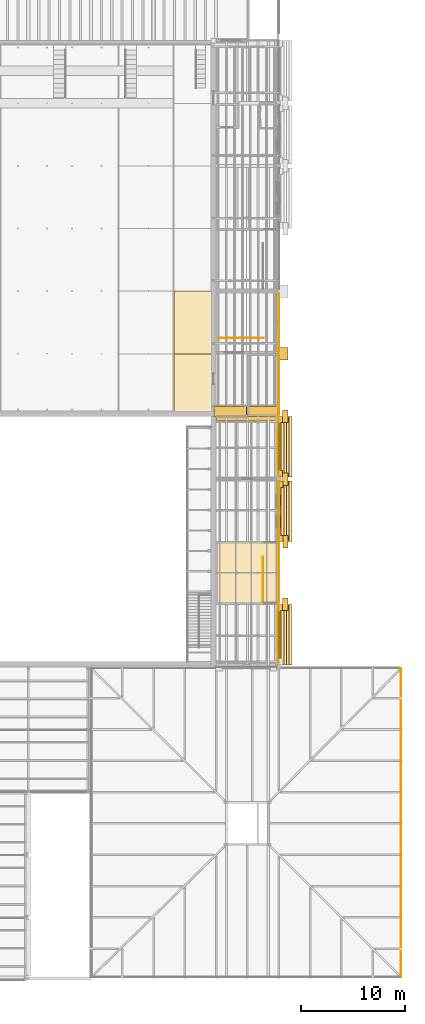
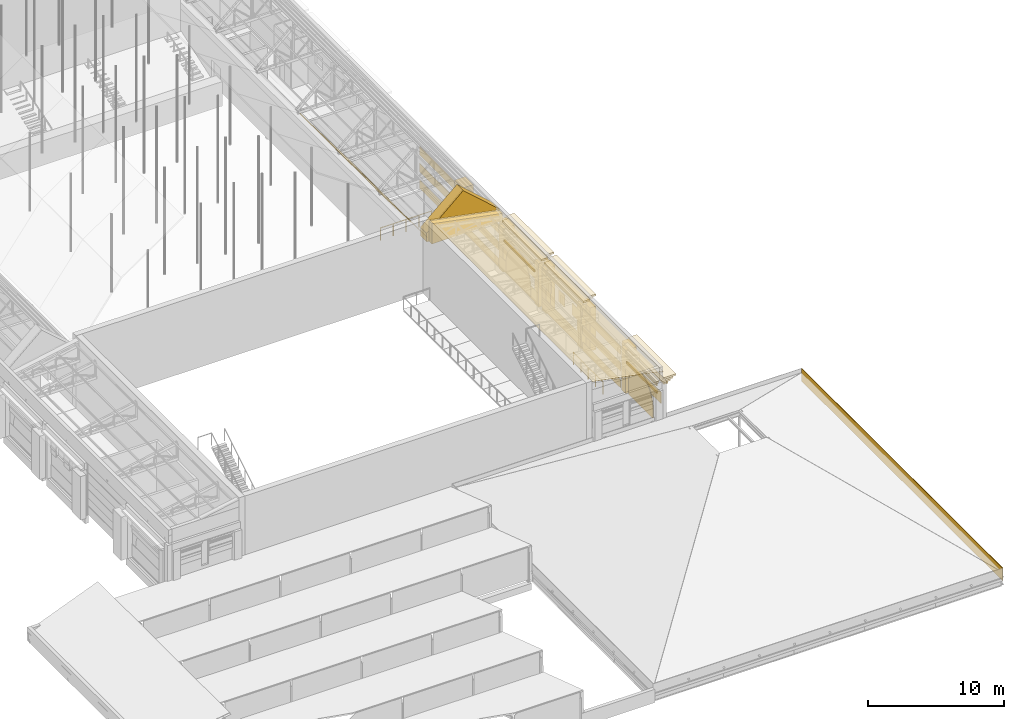
# One storey, part 109 of 118: 58 coverings, 2 railings.
"""IFC4 building model written with IfcOpenShell, lengths in metres."""

import ifcopenshell
import ifcopenshell.guid

model = None  # the IFC model being written
_history = None  # IfcOwnerHistory: only IFC2X3 demands one
_inside = {}  # id of a spatial element -> (the spatial element, [elements in it])
_under = {}  # id of a project, library or spatial element -> (it, [spatial elements below it])
_declared = {}  # id of a project -> (the project, [libraries it declares])
_typed = {}  # id of a type object -> (the type object, [elements of that type])
_made_of = {}  # id of a material, layer set ... -> (it, [elements and type objects made of it])


def new_model(schema):
    """Start an empty IFC model of exactly this schema.

    Asked for "IFC4X3", IfcOpenShell would pick the latest addendum, in which some entities
    have other attributes; the version numbers below select the first issue.
    IFC2X3 requires an IfcOwnerHistory on every rooted entity: one is made here for all.
    """
    global model, _history
    if schema == "IFC4X3":
        model = ifcopenshell.file(schema_version=(4, 3, 0, 0))
    else:
        model = ifcopenshell.file(schema=schema)
    _inside.clear()
    _under.clear()
    _declared.clear()
    _typed.clear()
    _made_of.clear()
    _history = None
    if model.schema == "IFC2X3":
        org = make("IfcOrganization", Name="unknown")
        user = make(
            "IfcPersonAndOrganization",
            ThePerson=make("IfcPerson", FamilyName="unknown"),
            TheOrganization=org,
        )
        app = make(
            "IfcApplication",
            ApplicationDeveloper=org,
            Version="unknown",
            ApplicationFullName="unknown",
            ApplicationIdentifier="unknown",
        )
        _history = make(
            "IfcOwnerHistory",
            OwningUser=user,
            OwningApplication=app,
            ChangeAction="ADDED",
            CreationDate=0,
        )
    return model


def make(cls, **values):
    """One entity of the class cls with the attributes given. An attribute that is None is left unset."""
    return model.create_entity(
        cls, **{name: value for name, value in values.items() if value is not None}
    )


def rooted(cls, **values):
    """An entity with a GlobalId (a new one), such as an element, a storey or a relation."""
    return make(cls, GlobalId=ifcopenshell.guid.new(), OwnerHistory=_history, **values)


def si_unit(unit_type, name, prefix=None):
    """IfcSIUnit, for example si_unit("LENGTHUNIT", "METRE", prefix="MILLI")."""
    return make("IfcSIUnit", UnitType=unit_type, Prefix=prefix, Name=name)


def assignment(units):
    """IfcUnitAssignment: the units of a project."""
    return None if units is None else make("IfcUnitAssignment", Units=units)


def point(xyz):
    """IfcCartesianPoint."""
    return None if xyz is None else make("IfcCartesianPoint", Coordinates=xyz)


def direction(xyz):
    """IfcDirection."""
    return None if xyz is None else make("IfcDirection", DirectionRatios=xyz)


def frame(location, z_axis=None, x_axis=None):
    """IfcAxis2Placement3D, a coordinate frame: its origin and axes. An axis left out is left unset."""
    return make(
        "IfcAxis2Placement3D",
        Location=point(location),
        Axis=direction(z_axis),
        RefDirection=direction(x_axis),
    )


def frame_2d(location, x_axis=None):
    """IfcAxis2Placement2D, a coordinate frame in the plane: its origin and x axis."""
    return make(
        "IfcAxis2Placement2D", Location=point(location), RefDirection=direction(x_axis)
    )


def origin():
    """The frame at (0, 0, 0) with its axes left unset."""
    return frame((0.0, 0.0, 0.0))


def origin_2d():
    """The frame at (0, 0) in the plane with its x axis left unset."""
    return frame_2d((0.0, 0.0))


def place(relative_to, where):
    """IfcLocalPlacement: puts the frame where relative to a parent placement (None: the world)."""
    return make(
        "IfcLocalPlacement", PlacementRelTo=relative_to, RelativePlacement=where
    )


def context(
    kind, dimensions, precision=None, world=None, true_north=None, identifier=None
):
    """IfcGeometricRepresentationContext, for example the 3D "Model" context."""
    return make(
        "IfcGeometricRepresentationContext",
        ContextIdentifier=identifier,
        ContextType=kind,
        CoordinateSpaceDimension=dimensions,
        Precision=precision,
        WorldCoordinateSystem=world,
        TrueNorth=true_north,
    )


def subcontext(parent, identifier, kind, view, scale=None):
    """IfcGeometricRepresentationSubContext, for example "Body" below "Model"."""
    return make(
        "IfcGeometricRepresentationSubContext",
        ContextIdentifier=identifier,
        ContextType=kind,
        ParentContext=parent,
        TargetScale=scale,
        TargetView=view,
    )


def project(units=None, contexts=None):
    """IfcProject with its units and contexts."""
    return rooted(
        "IfcProject",
        Name="project",
        RepresentationContexts=contexts,
        UnitsInContext=assignment(units),
    )


def spatial(cls, under=None, at=None, **own):
    """A site, building, storey or space (cls), placed at a placement, below another one or the project."""
    s = rooted(cls, ObjectPlacement=at, **own)
    if under is not None:
        _under.setdefault(under.id(), (under, []))[1].append(s)
    return s


def polyline(points):
    """IfcPolyline through the points."""
    return make("IfcPolyline", Points=[point(p) for p in points])


def profile(cls, at=None, kind="AREA", **sizes):
    """A parametric profile (cls). Its sizes go by their IFC names, for example OverallWidth=200.0."""
    return make(cls, ProfileType=kind, Position=at, **sizes)


def rectangle(**sizes):
    """IfcRectangleProfileDef."""
    return profile("IfcRectangleProfileDef", **sizes)


def circle(**sizes):
    """IfcCircleProfileDef."""
    return profile("IfcCircleProfileDef", **sizes)


def outline(outer, holes=None, kind="AREA"):
    """IfcArbitraryClosedProfileDef: a profile drawn as a closed curve; with holes, ...WithVoids."""
    if holes is None:
        return make("IfcArbitraryClosedProfileDef", ProfileType=kind, OuterCurve=outer)
    return make(
        "IfcArbitraryProfileDefWithVoids",
        ProfileType=kind,
        OuterCurve=outer,
        InnerCurves=holes,
    )


def extrude(swept, where, along, depth):
    """IfcExtrudedAreaSolid: the profile swept, set in the frame where, extruded along a direction by depth."""
    return make(
        "IfcExtrudedAreaSolid",
        SweptArea=swept,
        Position=where,
        ExtrudedDirection=direction(along),
        Depth=depth,
    )


def shape(context_of_items, identifier, shape_type, items):
    """IfcShapeRepresentation: the items that make up one representation, for example the "Body"."""
    return make(
        "IfcShapeRepresentation",
        ContextOfItems=context_of_items,
        RepresentationIdentifier=identifier,
        RepresentationType=shape_type,
        Items=items,
    )


def material(Name=None, Category=None):
    """IfcMaterial."""
    return make("IfcMaterial", Name=Name, Category=Category)


def layer(
    of_material, thickness, ventilated=None, Name=None, Category=None, Priority=None
):
    """IfcMaterialLayer: one layer of a wall or slab, of a material (None: an air gap)."""
    return make(
        "IfcMaterialLayer",
        Material=of_material,
        LayerThickness=thickness,
        IsVentilated=ventilated,
        Name=Name,
        Category=Category,
        Priority=Priority,
    )


def layer_set(layers, Name=None):
    """IfcMaterialLayerSet."""
    return make("IfcMaterialLayerSet", MaterialLayers=layers, LayerSetName=Name)


def made_of(thing, what):
    """Note that an element or type object is made of a material, layer set ...; save() writes the relation."""
    if what is not None:
        _made_of.setdefault(what.id(), (what, []))[1].append(thing)
    return thing


def type_object(cls, material=None, **own):
    """A type object (cls), such as IfcWallType, which elements share."""
    return made_of(rooted(cls, **own), material)


def element(
    cls,
    number,
    at=None,
    inside=None,
    cuts=None,
    type_object=None,
    material=None,
    context=None,
    identifier="Body",
    shape_type=None,
    held_by="IfcProductDefinitionShape",
    body=None,
    shapes=None,
    **own,
):
    """One element of the class cls, such as IfcWall. Its Tag is "e" and its number.

    at: its placement. inside: the storey or other place that contains it. cuts: it is an
    opening in that element (IfcRelVoidsElement). A single representation is given by context,
    identifier, shape_type and body (its items); several are given by shapes. held_by: the class
    of the entity that holds the representations. save() writes the other relations.
    """
    e = rooted(cls, Tag="e%d" % number, ObjectPlacement=at, **own)
    if body is not None:
        shapes = [shape(context, identifier, shape_type, body)]
    if shapes is not None:
        e.Representation = make(held_by, Representations=shapes)
    if inside is not None:
        _inside.setdefault(inside.id(), (inside, []))[1].append(e)
    if cuts is not None:
        rooted(
            "IfcRelVoidsElement", RelatingBuildingElement=cuts, RelatedOpeningElement=e
        )
    if type_object is not None:
        _typed.setdefault(type_object.id(), (type_object, []))[1].append(e)
    return made_of(e, material)


def aggregate(whole, parts):
    """IfcRelAggregates: a whole, such as a stair, and the parts it consists of."""
    return rooted("IfcRelAggregates", RelatingObject=whole, RelatedObjects=parts)


def save(model, path):
    """Write the relations noted so far, then the file.

    IfcRelAggregates (storeys below a building ...), IfcRelContainedInSpatialStructure (elements
    in a storey), IfcRelDefinesByType, IfcRelAssociatesMaterial and IfcRelDeclares: one each for
    every whole, place, type object, material and project.
    """
    for whole, parts in _under.values():
        aggregate(whole, parts)
    for where, things in _inside.values():
        rooted(
            "IfcRelContainedInSpatialStructure",
            RelatedElements=things,
            RelatingStructure=where,
        )
    for kind, things in _typed.values():
        rooted("IfcRelDefinesByType", RelatedObjects=things, RelatingType=kind)
    for what, things in _made_of.values():
        rooted("IfcRelAssociatesMaterial", RelatedObjects=things, RelatingMaterial=what)
    for by, libraries in _declared.values():
        rooted("IfcRelDeclares", RelatingContext=by, RelatedDefinitions=libraries)
    model.write(path)


model = new_model("IFC4")

# Units and contexts
model_context = context("Model", 3, precision=1e-05, world=origin(), true_north=direction((0.0, 1.0)))
body_context = subcontext(model_context, "Body", "Model", "MODEL_VIEW")
ifc_project = project(units=[si_unit("LENGTHUNIT", "METRE"), si_unit("AREAUNIT", "SQUARE_METRE"), si_unit("VOLUMEUNIT", "CUBIC_METRE"), si_unit("PLANEANGLEUNIT", "RADIAN"), si_unit("MASSUNIT", "GRAM", prefix="KILO")], contexts=[model_context])

# Site, building, storey
site_placement = place(None, origin())
site = spatial("IfcSite", under=ifc_project, at=site_placement, CompositionType="ELEMENT")
building_placement = place(site_placement, origin())
building = spatial("IfcBuilding", under=site, at=building_placement, Name="Saffron Lane Theatres", CompositionType="ELEMENT")
storey_placement = place(building_placement, frame((0.0, 0.0, 16.5)))
storey = spatial("IfcBuildingStorey", under=building, at=storey_placement, Name="L03", CompositionType="ELEMENT", Elevation=16.5)

# Coverings
ifc_material_1 = material(Name="Masonry pale clay brick", Category="masonry")
ifc_layer_1 = layer(ifc_material_1, 0.050048828125)
ifc_layer_set_1 = layer_set([ifc_layer_1], Name="Masonry pale clay brick")
covering_type_1 = type_object("IfcCoveringType", Name="EX-ARCH PANEL BRICK 50", PredefinedType="CLADDING", material=ifc_layer_set_1)
for number, where, z_axis, x_axis, name in (
    (1, (53.89990234375, 52.89990234375, 1.199951171875), (-1.0, 0.0, 0.0), (0.0, 0.0, -1.0), "Blind arch panel 20"),
    (2, (53.89990234375, 34.89990234375, 1.199951171875), (-1.0, 0.0, 0.0), (0.0, 0.0, -1.0), "Blind arch panel 21"),
):
    element("IfcCovering", number, at=place(storey_placement, frame(where, z_axis=z_axis, x_axis=x_axis)), inside=storey, type_object=covering_type_1, Name=name, PredefinedType="CLADDING", context=body_context, shape_type="SweptSolid", body=[
        extrude(outline(polyline([(0.0, 0.0), (0.89990234375, 0.0), (0.89990234375, 3.599853515625), (0.0, 3.599853515625), (-0.30712890625, 3.578857421875), (-0.608154296875, 3.515869140625), (-0.89794921875, 3.412841796875), (-1.170166015625, 3.27099609375), (-1.421142578125, 3.093017578125), (-1.64501953125, 2.8818359375), (-1.839111328125, 2.642822265625), (-1.9970703125, 2.37890625), (-2.119140625, 2.096923828125), (-2.199951171875, 1.7998046875), (-2.119140625, 1.5029296875), (-1.9970703125, 1.220947265625), (-1.839111328125, 0.956787109375), (-1.64501953125, 0.718017578125), (-1.421142578125, 0.5068359375), (-1.170166015625, 0.328857421875), (-0.89794921875, 0.18701171875), (-0.608154296875, 0.083984375), (-0.30712890625, 0.02099609375), (0.0, 0.0)])), origin(), (0.0, 0.0, -1.0), 0.050048828125),
    ])
ifc_material_2 = material(Name="Masonry sandstone", Category="masonry")
ifc_layer_2 = layer(ifc_material_2, 0.0400390625)
ifc_layer_set_2 = layer_set([ifc_layer_2], Name="Masonry sandstone")
covering_type_2 = type_object("IfcCoveringType", Name="EX-BANDING COURSE SANDSTONE 40", PredefinedType="CLADDING", material=ifc_layer_set_2)
for number, where, z_axis, x_axis, name in (
    (3, (54.02001953125, 63.0, 0.0), (0.0, 0.0, 1.0), (0.0, 1.0, 0.0), "Banding course L03"),
    (4, (54.02001953125, 63.0, 1.5), (0.0, 0.0, 1.0), (0.0, 1.0, 0.0), "Banding course L03"),
    (5, (54.02001953125, 63.0, 3.0), (0.0, 0.0, 1.0), (0.0, 1.0, 0.0), "Banding course L03"),
    (6, (54.02001953125, 39.0, 0.0), (0.0, 0.0, 1.0), (0.0, 1.0, 0.0), "Banding course L03"),
    (7, (54.02001953125, 39.0, 1.5), (0.0, 0.0, 1.0), (0.0, 1.0, 0.0), "Banding course L03"),
    (8, (54.02001953125, 39.0, 3.0), (0.0, 0.0, 1.0), (0.0, 1.0, 0.0), "Banding course L03"),
):
    element("IfcCovering", number, at=place(storey_placement, frame(where, z_axis=z_axis, x_axis=x_axis)), inside=storey, type_object=covering_type_2, Name=name, PredefinedType="CLADDING", context=body_context, shape_type="SweptSolid", body=[
        extrude(rectangle(XDim=5.60009765625, YDim=0.0400390625, at=origin_2d()), origin(), (0.0, 0.0, 1.0), 0.75),
    ])
for number, where, z_axis, x_axis, name in (
    (9, (54.02001953125, 57.0, 0.0), (0.0, 0.0, 1.0), (0.0, 1.0, 0.0), "Banding course L03"),
    (10, (54.02001953125, 57.0, 1.5), (0.0, 0.0, 1.0), (0.0, 1.0, 0.0), "Banding course L03"),
    (11, (54.02001953125, 57.0, 3.0), (0.0, 0.0, 1.0), (0.0, 1.0, 0.0), "Banding course L03"),
):
    element("IfcCovering", number, at=place(storey_placement, frame(where, z_axis=z_axis, x_axis=x_axis)), inside=storey, type_object=covering_type_2, Name=name, PredefinedType="CLADDING", context=body_context, shape_type="SweptSolid", body=[
        extrude(rectangle(XDim=5.699951171875, YDim=0.0400390625, at=origin_2d()), origin(), (0.0, 0.0, 1.0), 0.75),
    ])
ifc_material_3 = material(Name="Masonry sandstone", Category="masonry")
ifc_layer_3 = layer(ifc_material_3, 0.179931640625)
ifc_layer_set_3 = layer_set([ifc_layer_3], Name="Masonry sandstone")
covering_type_3 = type_object("IfcCoveringType", Name="EX-EAVES CORNICE SANDSTONE 180", PredefinedType="CLADDING", material=ifc_layer_set_3)
covering_1_placement = place(storey_placement, frame((54.06005859375, 51.10009765625, 3.7099609375), z_axis=(0.0, 0.0, 1.0), x_axis=(0.0, -1.0, 0.0)))
element("IfcCovering", 12, at=covering_1_placement, inside=storey, type_object=covering_type_3, Name="Eaves cornice L03", PredefinedType="CLADDING", context=body_context, shape_type="SweptSolid", body=[
    extrude(rectangle(XDim=4.5, YDim=0.219970703125, at=origin_2d()), origin(), (0.0, 0.0, 1.0), 0.1298828125),
])
covering_2_placement = place(storey_placement, frame((54.02490234375, 51.10009765625, 3.580078125), z_axis=(0.0, 0.0, 1.0), x_axis=(0.0, -1.0, 0.0)))
element("IfcCovering", 13, at=covering_2_placement, inside=storey, type_object=covering_type_3, Name="Eaves cornice L03", PredefinedType="CLADDING", context=body_context, shape_type="SweptSolid", body=[
    extrude(rectangle(XDim=4.5, YDim=0.14990234375, at=origin_2d()), origin(), (0.0, 0.0, 1.0), 0.1298828125),
])
covering_3_placement = place(storey_placement, frame((53.989990234375, 51.10009765625, 3.449951171875), z_axis=(0.0, 0.0, 1.0), x_axis=(0.0, -1.0, 0.0)))
element("IfcCovering", 14, at=covering_3_placement, inside=storey, type_object=covering_type_3, Name="Eaves cornice L03", PredefinedType="CLADDING", context=body_context, shape_type="SweptSolid", body=[
    extrude(rectangle(XDim=4.5, YDim=0.080078125, at=origin_2d()), origin(), (0.0, 0.0, 1.0), 0.1298828125),
])
covering_4_placement = place(storey_placement, frame((54.110107421875, 44.89990234375, 3.7099609375), z_axis=(0.0, 0.0, 1.0), x_axis=(0.0, -1.0, 0.0)))
element("IfcCovering", 15, at=covering_4_placement, inside=storey, type_object=covering_type_3, Name="Eaves cornice L03", PredefinedType="CLADDING", context=body_context, shape_type="SweptSolid", body=[
    extrude(rectangle(XDim=4.5, YDim=0.219970703125, at=origin_2d()), origin(), (0.0, 0.0, 1.0), 0.1298828125),
])
covering_5_placement = place(storey_placement, frame((54.074951171875, 44.89990234375, 3.580078125), z_axis=(0.0, 0.0, 1.0), x_axis=(0.0, -1.0, 0.0)))
element("IfcCovering", 16, at=covering_5_placement, inside=storey, type_object=covering_type_3, Name="Eaves cornice L03", PredefinedType="CLADDING", context=body_context, shape_type="SweptSolid", body=[
    extrude(rectangle(XDim=4.5, YDim=0.14990234375, at=origin_2d()), origin(), (0.0, 0.0, 1.0), 0.1298828125),
])
covering_6_placement = place(storey_placement, frame((54.06005859375, 33.10009765625, 3.7099609375), z_axis=(0.0, 0.0, 1.0), x_axis=(0.0, -1.0, 0.0)))
element("IfcCovering", 17, at=covering_6_placement, inside=storey, type_object=covering_type_3, Name="Eaves cornice L03", PredefinedType="CLADDING", context=body_context, shape_type="SweptSolid", body=[
    extrude(rectangle(XDim=4.5, YDim=0.219970703125, at=origin_2d()), origin(), (0.0, 0.0, 1.0), 0.1298828125),
])
covering_7_placement = place(storey_placement, frame((54.02490234375, 33.10009765625, 3.580078125), z_axis=(0.0, 0.0, 1.0), x_axis=(0.0, -1.0, 0.0)))
element("IfcCovering", 18, at=covering_7_placement, inside=storey, type_object=covering_type_3, Name="Eaves cornice L03", PredefinedType="CLADDING", context=body_context, shape_type="SweptSolid", body=[
    extrude(rectangle(XDim=4.5, YDim=0.14990234375, at=origin_2d()), origin(), (0.0, 0.0, 1.0), 0.1298828125),
])
covering_8_placement = place(storey_placement, frame((53.989990234375, 33.10009765625, 3.449951171875), z_axis=(0.0, 0.0, 1.0), x_axis=(0.0, -1.0, 0.0)))
element("IfcCovering", 19, at=covering_8_placement, inside=storey, type_object=covering_type_3, Name="Eaves cornice L03", PredefinedType="CLADDING", context=body_context, shape_type="SweptSolid", body=[
    extrude(rectangle(XDim=4.5, YDim=0.080078125, at=origin_2d()), origin(), (0.0, 0.0, 1.0), 0.1298828125),
])
ifc_material_4 = material(Name="Masonry sandstone", Category="masonry")
ifc_layer_4 = layer(ifc_material_4, 0.1201171875)
ifc_layer_set_4 = layer_set([ifc_layer_4], Name="Masonry sandstone")
covering_type_4 = type_object("IfcCoveringType", Name="EX-EAVES STRING COURSE SANDSTONE 120", PredefinedType="CLADDING", material=ifc_layer_set_4)
for number, where, z_axis, x_axis, name in (
    (20, (54.010009765625, 51.10009765625, 2.75), (0.0, 0.0, 1.0), (0.0, -1.0, 0.0), "Eaves string course L03"),
    (21, (54.010009765625, 33.10009765625, 2.75), (0.0, 0.0, 1.0), (0.0, -1.0, 0.0), "Eaves string course L03"),
):
    element("IfcCovering", number, at=place(storey_placement, frame(where, z_axis=z_axis, x_axis=x_axis)), inside=storey, type_object=covering_type_4, Name=name, PredefinedType="CLADDING", context=body_context, shape_type="SweptSolid", body=[
        extrude(rectangle(XDim=4.5, YDim=0.1201171875, at=origin_2d()), origin(), (0.0, 0.0, 1.0), 0.199951171875),
    ])
ifc_material_5 = material(Name="Face brick cladding, pale buff", Category="masonry")
ifc_layer_5 = layer(ifc_material_5, 0.0400390625)
ifc_layer_set_5 = layer_set([ifc_layer_5], Name="Face brick cladding, pale buff")
covering_type_5 = type_object("IfcCoveringType", Name="EX-FACE BRICK CLADDING PALE BUFF 40", PredefinedType="CLADDING", material=ifc_layer_set_5)
for number, where, z_axis, x_axis, name in (
    (22, (53.969970703125, 51.10009765625, 0.14990234375), (0.0, 0.0, 1.0), (0.0, -1.0, 0.0), "Cladding course L03"),
    (23, (53.969970703125, 51.10009765625, 2.25), (0.0, 0.0, 1.0), (0.0, -1.0, 0.0), "Cladding course L03"),
    (24, (54.02001953125, 44.89990234375, 0.14990234375), (0.0, 0.0, 1.0), (0.0, -1.0, 0.0), "Cladding course L03"),
):
    element("IfcCovering", number, at=place(storey_placement, frame(where, z_axis=z_axis, x_axis=x_axis)), inside=storey, type_object=covering_type_5, Name=name, PredefinedType="CLADDING", context=body_context, shape_type="SweptSolid", body=[
        extrude(rectangle(XDim=5.800048828125, YDim=0.0400390625, at=origin_2d()), origin(), (0.0, 0.0, 1.0), 1.050048828125),
    ])
covering_9_placement = place(storey_placement, frame((54.02001953125, 47.135009765625, 2.25), z_axis=(0.0, 0.0, 1.0), x_axis=(0.0, -1.0, 0.0)))
element("IfcCovering", 25, at=covering_9_placement, inside=storey, type_object=covering_type_5, Name="Cladding course L03", PredefinedType="CLADDING", context=body_context, shape_type="SweptSolid", body=[
    extrude(rectangle(XDim=1.330078125, YDim=0.0400390625, at=origin_2d()), origin(), (0.0, 0.0, 1.0), 1.050048828125),
])
covering_10_placement = place(storey_placement, frame((54.02001953125, 44.89990234375, 2.25), z_axis=(0.0, 0.0, 1.0), x_axis=(0.0, -1.0, 0.0)))
element("IfcCovering", 26, at=covering_10_placement, inside=storey, type_object=covering_type_5, Name="Cladding course L03", PredefinedType="CLADDING", context=body_context, shape_type="SweptSolid", body=[
    extrude(rectangle(XDim=0.860107421875, YDim=0.0400390625, at=origin_2d()), origin(), (0.0, 0.0, 1.0), 1.050048828125),
])
covering_11_placement = place(storey_placement, frame((54.02001953125, 42.6650390625, 2.25), z_axis=(0.0, 0.0, 1.0), x_axis=(0.0, -1.0, 0.0)))
element("IfcCovering", 27, at=covering_11_placement, inside=storey, type_object=covering_type_5, Name="Cladding course L03", PredefinedType="CLADDING", context=body_context, shape_type="SweptSolid", body=[
    extrude(rectangle(XDim=1.330078125, YDim=0.0400390625, at=origin_2d()), origin(), (0.0, 0.0, 1.0), 1.050048828125),
])
covering_12_placement = place(storey_placement, frame((53.969970703125, 33.10009765625, 2.25), z_axis=(0.0, 0.0, 1.0), x_axis=(0.0, -1.0, 0.0)))
element("IfcCovering", 28, at=covering_12_placement, inside=storey, type_object=covering_type_5, Name="Cladding course L03", PredefinedType="CLADDING", context=body_context, shape_type="SweptSolid", body=[
    extrude(rectangle(XDim=5.800048828125, YDim=0.0400390625, at=origin_2d()), origin(), (0.0, 0.0, 1.0), 1.050048828125),
])
ifc_material_6 = material(Name="Masonry sandstone", Category="masonry")
ifc_layer_6 = layer(ifc_material_6, 1.199951171875)
ifc_layer_set_6 = layer_set([ifc_layer_6], Name="Masonry sandstone")
covering_type_6 = type_object("IfcCoveringType", Name="EX-FLANK BUTTRESS PIER SANDSTONE 1200", PredefinedType="CLADDING", material=ifc_layer_set_6)
covering_13_placement = place(storey_placement, frame((54.625, 36.0, 0.0), z_axis=(0.0, 0.0, 1.0), x_axis=(0.0, 1.0, 0.0)))
element("IfcCovering", 29, at=covering_13_placement, inside=storey, type_object=covering_type_6, Name="Flank buttress east L03", PredefinedType="CLADDING", context=body_context, shape_type="SweptSolid", body=[
    extrude(rectangle(XDim=1.199951171875, YDim=0.550048828125, at=origin_2d()), origin(), (0.0, 0.0, 1.0), 3.89990234375),
])
covering_14_placement = place(storey_placement, frame((54.64990234375, 42.0, 0.0), z_axis=(0.0, 0.0, 1.0), x_axis=(0.0, 1.0, 0.0)))
element("IfcCovering", 30, at=covering_14_placement, inside=storey, type_object=covering_type_6, Name="Flank buttress east L03", PredefinedType="CLADDING", context=body_context, shape_type="SweptSolid", body=[
    extrude(rectangle(XDim=1.199951171875, YDim=0.5, at=origin_2d()), origin(), (0.0, 0.0, 1.0), 3.89990234375),
])
for number, where, z_axis, x_axis, name in (
    (31, (54.625, 48.0, 0.0), (0.0, 0.0, 1.0), (0.0, 1.0, 0.0), "Flank buttress east L03"),
    (32, (54.625, 54.0, 0.0), (0.0, 0.0, 1.0), (0.0, 1.0, 0.0), "Flank buttress east L03"),
):
    element("IfcCovering", number, at=place(storey_placement, frame(where, z_axis=z_axis, x_axis=x_axis)), inside=storey, type_object=covering_type_6, Name=name, PredefinedType="CLADDING", context=body_context, shape_type="SweptSolid", body=[
        extrude(rectangle(XDim=1.199951171875, YDim=0.550048828125, at=origin_2d()), origin(), (0.0, 0.0, 1.0), 3.89990234375),
    ])
covering_15_placement = place(storey_placement, frame((54.425048828125, 60.0, 0.0), z_axis=(0.0, 0.0, 1.0), x_axis=(0.0, 1.0, 0.0)))
element("IfcCovering", 33, at=covering_15_placement, inside=storey, type_object=covering_type_6, Name="Flank buttress east L03", PredefinedType="CLADDING", context=body_context, shape_type="SweptSolid", body=[
    extrude(rectangle(XDim=1.199951171875, YDim=0.949951171875, at=origin_2d()), origin(), (0.0, 0.0, 1.0), 3.89990234375),
])
ifc_material_7 = material(Name="Masonry sandstone", Category="masonry")
ifc_layer_7 = layer(ifc_material_7, 1.050048828125)
ifc_layer_set_7 = layer_set([ifc_layer_7], Name="Masonry sandstone")
covering_type_7 = type_object("IfcCoveringType", Name="EX-FLANK CORNICE COURSE SANDSTONE 400", PredefinedType="CLADDING", material=ifc_layer_set_7)
covering_16_placement = place(storey_placement, frame((54.35009765625, 33.10009765625, 3.900146484375), z_axis=(0.0, 0.0, 1.0), x_axis=(0.0, 1.0, 0.0)))
element("IfcCovering", 34, at=covering_16_placement, inside=storey, type_object=covering_type_7, Name="Flank cornice course east 7", PredefinedType="CLADDING", context=body_context, shape_type="SweptSolid", body=[
    extrude(rectangle(XDim=5.800048828125, YDim=0.300048828125, at=origin_2d()), origin(), (0.0, 0.0, 1.0), 0.14990234375),
])
covering_17_placement = place(storey_placement, frame((54.47509765625, 33.10009765625, 4.050048828125), z_axis=(0.0, 0.0, 1.0), x_axis=(0.0, 1.0, 0.0)))
element("IfcCovering", 35, at=covering_17_placement, inside=storey, type_object=covering_type_7, Name="Flank cornice course east 7", PredefinedType="CLADDING", context=body_context, shape_type="SweptSolid", body=[
    extrude(rectangle(XDim=5.800048828125, YDim=0.550048828125, at=origin_2d()), origin(), (0.0, 0.0, 1.0), 0.14990234375),
])
covering_18_placement = place(storey_placement, frame((54.60009765625, 33.10009765625, 4.199951171875), z_axis=(0.0, 0.0, 1.0), x_axis=(0.0, 1.0, 0.0)))
element("IfcCovering", 36, at=covering_18_placement, inside=storey, type_object=covering_type_7, Name="Flank cornice course east 7", PredefinedType="CLADDING", context=body_context, shape_type="SweptSolid", body=[
    extrude(rectangle(XDim=5.800048828125, YDim=0.800048828125, at=origin_2d()), origin(), (0.0, 0.0, 1.0), 0.14990234375),
])
covering_19_placement = place(storey_placement, frame((54.72509765625, 33.10009765625, 4.35009765625), z_axis=(0.0, 0.0, 1.0), x_axis=(0.0, 1.0, 0.0)))
element("IfcCovering", 37, at=covering_19_placement, inside=storey, type_object=covering_type_7, Name="Flank cornice course east 7", PredefinedType="CLADDING", context=body_context, shape_type="SweptSolid", body=[
    extrude(rectangle(XDim=5.800048828125, YDim=1.050048828125, at=origin_2d()), origin(), (0.0, 0.0, 1.0), 0.14990234375),
])
covering_20_placement = place(storey_placement, frame((54.35009765625, 44.89990234375, 3.900146484375), z_axis=(0.0, 0.0, 1.0), x_axis=(0.0, 1.0, 0.0)))
element("IfcCovering", 38, at=covering_20_placement, inside=storey, type_object=covering_type_7, Name="Flank cornice course east 8", PredefinedType="CLADDING", context=body_context, shape_type="SweptSolid", body=[
    extrude(rectangle(XDim=5.800048828125, YDim=0.300048828125, at=origin_2d()), origin(), (0.0, 0.0, 1.0), 0.14990234375),
])
covering_21_placement = place(storey_placement, frame((54.47509765625, 44.89990234375, 4.050048828125), z_axis=(0.0, 0.0, 1.0), x_axis=(0.0, 1.0, 0.0)))
element("IfcCovering", 39, at=covering_21_placement, inside=storey, type_object=covering_type_7, Name="Flank cornice course east 8", PredefinedType="CLADDING", context=body_context, shape_type="SweptSolid", body=[
    extrude(rectangle(XDim=5.800048828125, YDim=0.550048828125, at=origin_2d()), origin(), (0.0, 0.0, 1.0), 0.14990234375),
])
covering_22_placement = place(storey_placement, frame((54.60009765625, 44.89990234375, 4.199951171875), z_axis=(0.0, 0.0, 1.0), x_axis=(0.0, 1.0, 0.0)))
element("IfcCovering", 40, at=covering_22_placement, inside=storey, type_object=covering_type_7, Name="Flank cornice course east 8", PredefinedType="CLADDING", context=body_context, shape_type="SweptSolid", body=[
    extrude(rectangle(XDim=5.800048828125, YDim=0.800048828125, at=origin_2d()), origin(), (0.0, 0.0, 1.0), 0.14990234375),
])
covering_23_placement = place(storey_placement, frame((54.72509765625, 44.89990234375, 4.35009765625), z_axis=(0.0, 0.0, 1.0), x_axis=(0.0, 1.0, 0.0)))
element("IfcCovering", 41, at=covering_23_placement, inside=storey, type_object=covering_type_7, Name="Flank cornice course east 8", PredefinedType="CLADDING", context=body_context, shape_type="SweptSolid", body=[
    extrude(rectangle(XDim=5.800048828125, YDim=1.050048828125, at=origin_2d()), origin(), (0.0, 0.0, 1.0), 0.14990234375),
])
covering_24_placement = place(storey_placement, frame((54.35009765625, 51.10009765625, 3.900146484375), z_axis=(0.0, 0.0, 1.0), x_axis=(0.0, 1.0, 0.0)))
element("IfcCovering", 42, at=covering_24_placement, inside=storey, type_object=covering_type_7, Name="Flank cornice course east 9", PredefinedType="CLADDING", context=body_context, shape_type="SweptSolid", body=[
    extrude(rectangle(XDim=5.800048828125, YDim=0.300048828125, at=origin_2d()), origin(), (0.0, 0.0, 1.0), 0.14990234375),
])
covering_25_placement = place(storey_placement, frame((54.47509765625, 51.10009765625, 4.050048828125), z_axis=(0.0, 0.0, 1.0), x_axis=(0.0, 1.0, 0.0)))
element("IfcCovering", 43, at=covering_25_placement, inside=storey, type_object=covering_type_7, Name="Flank cornice course east 9", PredefinedType="CLADDING", context=body_context, shape_type="SweptSolid", body=[
    extrude(rectangle(XDim=5.800048828125, YDim=0.550048828125, at=origin_2d()), origin(), (0.0, 0.0, 1.0), 0.14990234375),
])
covering_26_placement = place(storey_placement, frame((54.60009765625, 51.10009765625, 4.199951171875), z_axis=(0.0, 0.0, 1.0), x_axis=(0.0, 1.0, 0.0)))
element("IfcCovering", 44, at=covering_26_placement, inside=storey, type_object=covering_type_7, Name="Flank cornice course east 9", PredefinedType="CLADDING", context=body_context, shape_type="SweptSolid", body=[
    extrude(rectangle(XDim=5.800048828125, YDim=0.800048828125, at=origin_2d()), origin(), (0.0, 0.0, 1.0), 0.14990234375),
])
covering_27_placement = place(storey_placement, frame((54.72509765625, 51.10009765625, 4.35009765625), z_axis=(0.0, 0.0, 1.0), x_axis=(0.0, 1.0, 0.0)))
element("IfcCovering", 45, at=covering_27_placement, inside=storey, type_object=covering_type_7, Name="Flank cornice course east 9", PredefinedType="CLADDING", context=body_context, shape_type="SweptSolid", body=[
    extrude(rectangle(XDim=5.800048828125, YDim=1.050048828125, at=origin_2d()), origin(), (0.0, 0.0, 1.0), 0.14990234375),
])
ifc_material_8 = material(Name="Masonry sandstone", Category="masonry")
ifc_layer_8 = layer(ifc_material_8, 0.0400390625)
ifc_layer_set_8 = layer_set([ifc_layer_8], Name="Masonry sandstone")
covering_type_8 = type_object("IfcCoveringType", Name="EX-HEAD COURSE SANDSTONE 150", PredefinedType="CLADDING", material=ifc_layer_set_8)
covering_28_placement = place(storey_placement, frame((54.02001953125, 44.89990234375, 3.699951171875), z_axis=(0.0, 0.0, 1.0), x_axis=(0.0, -1.0, 0.0)))
element("IfcCovering", 46, at=covering_28_placement, inside=storey, type_object=covering_type_8, Name="Facade head course L03", PredefinedType="CLADDING", context=body_context, shape_type="SweptSolid", body=[
    extrude(rectangle(XDim=5.800048828125, YDim=0.0400390625, at=origin_2d()), origin(), (0.0, 0.0, 1.0), 0.14990234375),
])
ifc_material_9 = material(Name="Masonry sandstone", Category="masonry")
ifc_layer_9 = layer(ifc_material_9, 0.39990234375)
ifc_layer_set_9 = layer_set([ifc_layer_9], Name="Masonry sandstone")
covering_type_9 = type_object("IfcCoveringType", Name="EX-PILASTER PIER SANDSTONE 400", PredefinedType="CLADDING", material=ifc_layer_set_9)
for number, where, z_axis, x_axis, name in (
    (47, (54.14990234375, 53.699951171875, 0.0), (0.0, 0.0, 1.0), (0.0, -1.0, 0.0), "Pilaster pier L03"),
    (48, (54.14990234375, 48.5, 0.0), (0.0, 0.0, 1.0), (0.0, -1.0, 0.0), "Pilaster pier L03"),
    (49, (54.199951171875, 47.5, 0.0), (0.0, 0.0, 1.0), (0.0, -1.0, 0.0), "Pilaster pier L03"),
    (50, (54.199951171875, 42.300048828125, 0.0), (0.0, 0.0, 1.0), (0.0, -1.0, 0.0), "Pilaster pier L03"),
    (51, (54.14990234375, 35.699951171875, 0.0), (0.0, 0.0, 1.0), (0.0, -1.0, 0.0), "Pilaster pier L03"),
):
    element("IfcCovering", number, at=place(storey_placement, frame(where, z_axis=z_axis, x_axis=x_axis)), inside=storey, type_object=covering_type_9, Name=name, PredefinedType="CLADDING", context=body_context, shape_type="SweptSolid", body=[
        extrude(rectangle(XDim=0.60009765625, YDim=0.39990234375, at=origin_2d()), origin(), (0.0, 0.0, 1.0), 3.89990234375),
    ])
ifc_material_10 = material(Name="Masonry sandstone", Category="masonry")
ifc_layer_10 = layer(ifc_material_10, 0.0400390625)
ifc_layer_set_10 = layer_set([ifc_layer_10], Name="Masonry sandstone")
covering_type_10 = type_object("IfcCoveringType", Name="EX-SILL COURSE SANDSTONE 250", PredefinedType="CLADDING", material=ifc_layer_set_10)
covering_29_placement = place(storey_placement, frame((54.02001953125, 44.89990234375, 0.75), z_axis=(0.0, 0.0, 1.0), x_axis=(0.0, -1.0, 0.0)))
element("IfcCovering", 52, at=covering_29_placement, inside=storey, type_object=covering_type_10, Name="Facade sill course L03", PredefinedType="CLADDING", context=body_context, shape_type="SweptSolid", body=[
    extrude(rectangle(XDim=5.800048828125, YDim=0.0400390625, at=origin_2d()), origin(), (0.0, 0.0, 1.0), 0.25),
])
ifc_material_11 = material(Name="Zinc standing seam roofing", Category="metal")
ifc_layer_11 = layer(ifc_material_11, 0.0400390625)
ifc_layer_set_11 = layer_set([ifc_layer_11], Name="Zinc standing seam roofing")
covering_type_11 = type_object("IfcCoveringType", Name="ST-EAVES FASCIA", PredefinedType="CLADDING", material=ifc_layer_set_11)
covering_30_placement = place(storey_placement, frame((0.0, 0.0, 0.37939453125)))
element("IfcCovering", 53, at=covering_30_placement, inside=storey, type_object=covering_type_11, Name="SF4", PredefinedType="CLADDING", context=body_context, shape_type="SweptSolid", body=[
    extrude(outline(polyline([(65.699951171875, 0.300048828125), (65.739990234375, 0.300048828125), (65.739990234375, 29.85009765625), (65.699951171875, 29.85009765625), (65.699951171875, 0.300048828125)])), origin(), (0.0, 0.0, 1.0), 1.14990234375),
])
ifc_material_12 = material(Name="Zinc standing seam roofing", Category="metal")
ifc_layer_12 = layer(ifc_material_12, 0.199951171875)
ifc_layer_set_12 = layer_set([ifc_layer_12], Name="Zinc standing seam roofing")
covering_type_12 = type_object("IfcCoveringType", Name="ST-GABLE END CLADDING", PredefinedType="CLADDING", material=ifc_layer_set_12)
covering_31_placement = place(storey_placement, frame((54.0, 54.0, 5.291259765625), z_axis=(0.0, -1.0, 0.0), x_axis=(-0.748289762503, 0.0, 0.66337201579)))
element("IfcCovering", 54, at=covering_31_placement, inside=storey, type_object=covering_type_12, Name="SB2-G1", PredefinedType="CLADDING", context=body_context, shape_type="SweptSolid", body=[
    extrude(outline(polyline([(0.0, 0.0), (4.142910689943948, 0.0), (4.639359989933593, 4.1128741066847105), (4.114460404197615, 4.704965688782556), (-0.5248995857359775, 0.5920915820978451), (0.0, 0.0)])), origin(), (0.0, 0.0, -1.0), 0.925048828125),
])
covering_32_placement = place(storey_placement, frame((54.0, 54.0, 4.5), z_axis=(0.0, 1.0, 0.0), x_axis=(-1.0, 0.0, 0.0)))
element("IfcCovering", 55, at=covering_32_placement, inside=storey, type_object=covering_type_12, Name="SB4-G2", PredefinedType="CLADDING", context=body_context, shape_type="SweptSolid", body=[
    extrude(outline(polyline([(0.0, 0.0), (6.0, 0.0), (6.0, 1.82763671875), (0.0, 0.66259765625), (0.0, 0.0)])), origin(), (0.0, 0.0, -1.0), 0.425048828125),
])
ifc_material_13 = material(Name="Zinc standing seam roofing", Category="metal")
ifc_layer_13 = layer(ifc_material_13, 0.02001953125)
ifc_layer_set_13 = layer_set([ifc_layer_13], Name="Zinc standing seam roofing")
covering_type_13 = type_object("IfcCoveringType", Name="ST-ZINC ROOFING", PredefinedType="ROOFING", material=ifc_layer_set_13)
covering_33_placement = place(storey_placement, frame((43.976806640625, 54.375, 10.111083984375), z_axis=(0.802182935836, 0.0, 0.597078334437), x_axis=(0.597078334437, 0.0, -0.802182935836)))
element("IfcCovering", 56, at=covering_33_placement, inside=storey, type_object=covering_type_13, Name="VZ1H", PredefinedType="ROOFING", context=body_context, shape_type="SweptSolid", body=[
    extrude(outline(polyline([(0.0, 0.0), (6.868160912241676, 0.0), (6.868160912241676, 5.624999999999999), (0.0, 5.624999999999999), (0.0, 0.0)])), origin(), (0.0, 0.0, -1.0), 0.02001953125),
])
covering_34_placement = place(storey_placement, frame((43.976806640625, 60.0, 10.111083984375), z_axis=(0.802182935836, 0.0, 0.597078334437), x_axis=(0.597078334437, 0.0, -0.802182935836)))
element("IfcCovering", 57, at=covering_34_placement, inside=storey, type_object=covering_type_13, Name="VZ2H", PredefinedType="ROOFING", context=body_context, shape_type="SweptSolid", body=[
    extrude(outline(polyline([(0.0, 0.0), (6.868160912241676, 0.0), (6.868160912241676, 6.0), (0.0, 6.0), (0.0, 0.0)])), origin(), (0.0, 0.0, -1.0), 0.02001953125),
])
covering_35_placement = place(storey_placement, frame((54.0, 30.0, 5.284912109375), z_axis=(0.190613060247, 0.0, 0.981665249086), x_axis=(-0.981665249086, 0.0, 0.190613060247)))
element("IfcCovering", 58, at=covering_35_placement, inside=storey, type_object=covering_type_13, Name="SB4-Z1", PredefinedType="ROOFING", context=body_context, shape_type="SweptSolid", body=[
    extrude(outline(polyline([(0.0, 0.0), (6.112063155527017, 0.0), (6.112063155527017, -24.0), (0.0, -24.0), (0.0, 0.0)])), origin(), (0.0, 0.0, -1.0), 0.02001953125),
])

# Railings
ifc_material_14 = material(Name="Steel Grade 350", Category="steel")
railing_type = type_object("IfcRailingType", Name="VC-GUARD 1100", PredefinedType="GUARDRAIL", material=ifc_material_14)
railing_1_placement = place(storey_placement, frame((48.199951171875, 61.5, 0.0)))
element("IfcRailing", 59, at=railing_1_placement, inside=storey, type_object=railing_type, Name="Auditorium East Front Stair guard L03", PredefinedType="GUARDRAIL", context=body_context, shape_type="SweptSolid", body=[
    extrude(circle(Radius=0.02392578125, at=origin_2d()), frame((0.0, 0.0, 1.076171875), z_axis=(1.0, 0.0, 0.0), x_axis=(0.0, 1.0, 0.0)), (0.0, 0.0, 1.0), 4.35009765625),
    extrude(circle(Radius=0.02099609375, at=origin_2d()), origin(), (0.0, 0.0, 1.0), 1.052001953125),
    extrude(circle(Radius=0.02099609375, at=origin_2d()), frame((1.08740234375, 0.0, 0.0)), (0.0, 0.0, 1.0), 1.052001953125),
    extrude(circle(Radius=0.02099609375, at=origin_2d()), frame((2.175048828125, 0.0, 0.0)), (0.0, 0.0, 1.0), 1.052001953125),
    extrude(circle(Radius=0.02099609375, at=origin_2d()), frame((3.2626953125, 0.0, 0.0)), (0.0, 0.0, 1.0), 1.052001953125),
    extrude(circle(Radius=0.02099609375, at=origin_2d()), frame((4.35009765625, 0.0, 0.0)), (0.0, 0.0, 1.0), 1.052001953125),
])
railing_2_placement = place(storey_placement, frame((52.5, 36.199951171875, 0.0)))
element("IfcRailing", 60, at=railing_2_placement, inside=storey, type_object=railing_type, Name="Stage East Stair guard L03", PredefinedType="GUARDRAIL", context=body_context, shape_type="SweptSolid", body=[
    extrude(circle(Radius=0.02392578125, at=origin_2d()), frame((0.0, 0.0, 1.076171875), z_axis=(0.0, 1.0, 0.0), x_axis=(-1.0, 0.0, 0.0)), (0.0, 0.0, 1.0), 4.35009765625),
    extrude(circle(Radius=0.02099609375, at=origin_2d()), origin(), (0.0, 0.0, 1.0), 1.052001953125),
    extrude(circle(Radius=0.02099609375, at=origin_2d()), frame((0.0, 1.08740234375, 0.0)), (0.0, 0.0, 1.0), 1.052001953125),
    extrude(circle(Radius=0.02099609375, at=origin_2d()), frame((0.0, 2.175048828125, 0.0)), (0.0, 0.0, 1.0), 1.052001953125),
    extrude(circle(Radius=0.02099609375, at=origin_2d()), frame((0.0, 3.2626953125, 0.0)), (0.0, 0.0, 1.0), 1.052001953125),
    extrude(circle(Radius=0.02099609375, at=origin_2d()), frame((0.0, 4.35009765625, 0.0)), (0.0, 0.0, 1.0), 1.052001953125),
])

save(model, "model.ifc")
